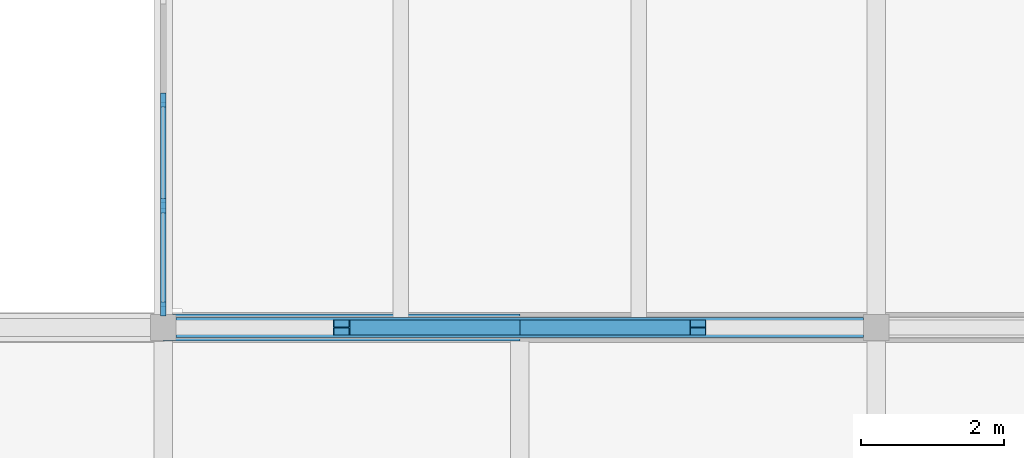
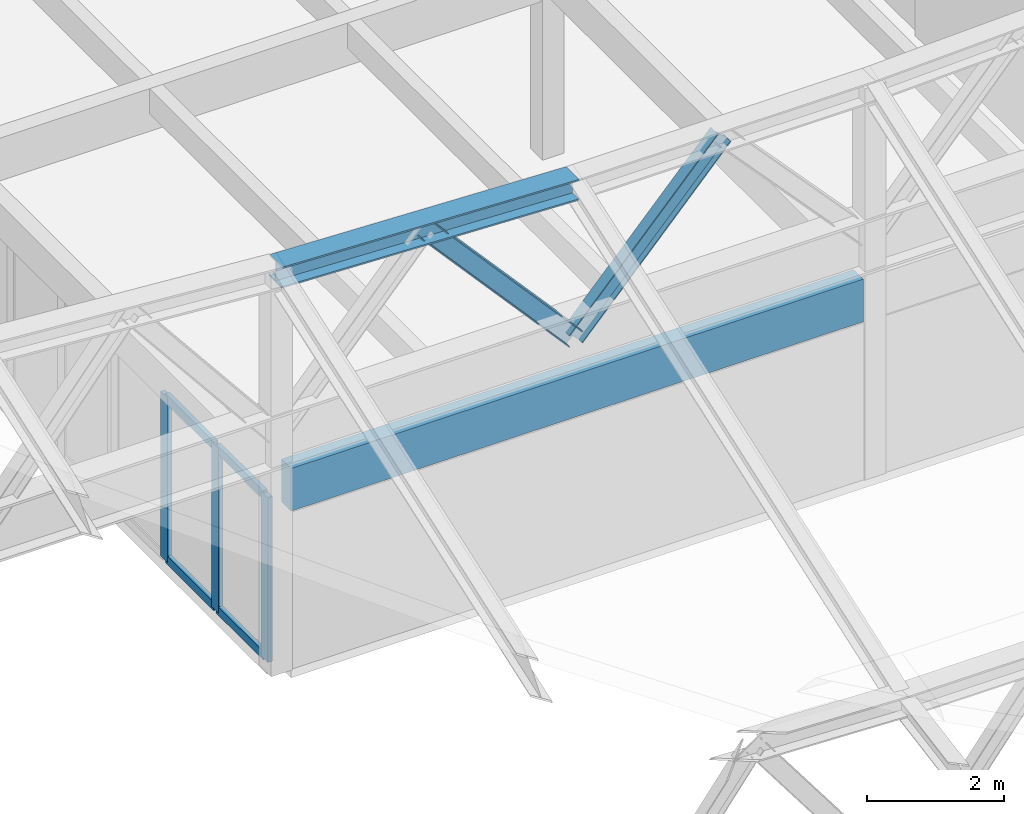
# One storey, part 12 of 40: 10 members, 1 beam, 2 elements without a shape of their own.
"""IFC4 building model written with IfcOpenShell, lengths in metres."""

from ifc_helpers import new_model, si_unit, direction, frame, origin, origin_2d, place, context, subcontext, project, spatial, rectangle, i_section, extrude, material, material_profile, profile_set, type_object, element, aggregate, save


model = new_model("IFC4")

# Units and contexts
model_context = context("Model", 3, precision=1e-05, world=origin(), true_north=direction((0.0, 1.0)))
body_context = subcontext(model_context, "Body", "Model", "MODEL_VIEW")
ifc_project = project(units=[si_unit("LENGTHUNIT", "METRE"), si_unit("AREAUNIT", "SQUARE_METRE"), si_unit("VOLUMEUNIT", "CUBIC_METRE"), si_unit("PLANEANGLEUNIT", "RADIAN"), si_unit("MASSUNIT", "GRAM", prefix="KILO")], contexts=[model_context])

# Site, building, storey
site_placement = place(None, origin())
site = spatial("IfcSite", under=ifc_project, at=site_placement, CompositionType="ELEMENT")
building_placement = place(site_placement, origin())
building = spatial("IfcBuilding", under=site, at=building_placement, Name="Veldera Park Congress Hotel", CompositionType="ELEMENT")
storey_placement = place(building_placement, frame((0.0, 0.0, 16.199951171875)))
storey = spatial("IfcBuildingStorey", under=building, at=storey_placement, Name="L03", CompositionType="ELEMENT", Elevation=16.199951171875)

# Beam
ifc_material_1 = material(Name="Glulam GL28h (NDS 24F-V4)", Category="wood")
ifc_material_profile_1 = material_profile(ifc_material_1, rectangle(XDim=0.280029296875, YDim=0.760009765625, at=origin_2d()), Name="GL28h 280x760")
ifc_profile_set_1 = profile_set([ifc_material_profile_1], Name="Glulam GL28h (NDS 24F-V4)")
beam_type = type_object("IfcBeamType", Name="BM-GL760", PredefinedType="BEAM", material=ifc_profile_set_1)
beam_placement = place(storey_placement, frame((-47.219970703125, 27.0, 3.179931640625), z_axis=(1.0, 0.0, 0.0), x_axis=(0.0, 1.0, 0.0)))
element("IfcBeam", 1, at=beam_placement, inside=storey, type_object=beam_type, Name="L03 Girder BM-GL760 1106", PredefinedType="BEAM", context=body_context, shape_type="SweptSolid", body=[
    extrude(rectangle(XDim=0.280029296875, YDim=0.760009765625, at=origin_2d()), origin(), (0.0, 0.0, 1.0), 9.639892578125),
])

# Curtain wall, members
ifc_material_2 = material(Name="Low-E Triple Insulating Glass Unit (SHGC 0.22)", Category="glass")
curtain_wall_type = type_object("IfcCurtainWallType", Name="CW-CON", PredefinedType="NOTDEFINED", material=ifc_material_2)
curtain_wall_placement = place(storey_placement, origin())
curtain_wall = element("IfcCurtainWall", 2, at=curtain_wall_placement, inside=storey, type_object=curtain_wall_type, Name="L03 Curtain Wall CW3-NWW-L03-084", PredefinedType="NOTDEFINED")
ifc_material_3 = material(Name="Anodised Aluminium Alloy 6063-T6", Category="aluminium")
ifc_material_profile_2 = material_profile(ifc_material_3, rectangle(XDim=0.074951171875, YDim=0.199951171875, at=origin_2d()), Name="ALU 75x200")
ifc_profile_set_2 = profile_set([ifc_material_profile_2], Name="Anodised Aluminium Alloy 6063-T6")
member_type_1 = type_object("IfcMemberType", Name="CWM-200", PredefinedType="MULLION", material=ifc_profile_set_2)
member_1_placement = place(storey_placement, frame((-47.39990234375, 30.191650390625, 0.0), z_axis=(0.0, 0.0, 1.0), x_axis=(1.0, 0.0, 0.0)))
member_1 = element("IfcMember", 3, at=member_1_placement, type_object=member_type_1, Name="CW-CON mullion 2", PredefinedType="MULLION", context=body_context, shape_type="SweptSolid", body=[
    extrude(rectangle(XDim=0.074951171875, YDim=0.199951171875, at=origin_2d()), origin(), (0.0, 0.0, 1.0), 2.93505859375),
])
member_2_placement = place(storey_placement, frame((-47.39990234375, 28.705810546875, 0.0), z_axis=(0.0, 0.0, 1.0), x_axis=(1.0, 0.0, 0.0)))
member_2 = element("IfcMember", 4, at=member_2_placement, type_object=member_type_1, Name="CW-CON mullion 3", PredefinedType="MULLION", context=body_context, shape_type="SweptSolid", body=[
    extrude(rectangle(XDim=0.074951171875, YDim=0.199951171875, at=origin_2d()), origin(), (0.0, 0.0, 1.0), 2.93505859375),
])
member_3_placement = place(storey_placement, frame((-47.39990234375, 27.257568359375, 0.0), z_axis=(0.0, 0.0, 1.0), x_axis=(1.0, 0.0, 0.0)))
member_3 = element("IfcMember", 5, at=member_3_placement, type_object=member_type_1, Name="CW-CON mullion 4", PredefinedType="MULLION", context=body_context, shape_type="SweptSolid", body=[
    extrude(rectangle(XDim=0.074951171875, YDim=0.199951171875, at=origin_2d()), origin(), (0.0, 0.0, 1.0), 2.93505859375),
])
ifc_material_profile_3 = material_profile(ifc_material_3, rectangle(XDim=0.074951171875, YDim=0.14990234375, at=origin_2d()), Name="ALU 75x150")
ifc_profile_set_3 = profile_set([ifc_material_profile_3], Name="Anodised Aluminium Alloy 6063-T6")
member_type_2 = type_object("IfcMemberType", Name="CWT-150", PredefinedType="USERDEFINED", material=ifc_profile_set_3)
member_4_placement = place(storey_placement, frame((-47.39990234375, 30.154052734375, 0.03759765625), z_axis=(0.0, -1.0, 0.0), x_axis=(1.0, 0.0, 0.0)))
member_4 = element("IfcMember", 6, at=member_4_placement, type_object=member_type_2, Name="CW-CON transom 2.1", ObjectType="TRANSOM", PredefinedType="USERDEFINED", context=body_context, shape_type="SweptSolid", body=[
    extrude(rectangle(XDim=0.074951171875, YDim=0.14990234375, at=origin_2d()), origin(), (0.0, 0.0, 1.0), 1.41064453125),
])
member_5_placement = place(storey_placement, frame((-47.39990234375, 30.154052734375, 2.8974609375), z_axis=(0.0, -1.0, 0.0), x_axis=(1.0, 0.0, 0.0)))
member_5 = element("IfcMember", 7, at=member_5_placement, type_object=member_type_2, Name="CW-CON transom 2.2", ObjectType="TRANSOM", PredefinedType="USERDEFINED", context=body_context, shape_type="SweptSolid", body=[
    extrude(rectangle(XDim=0.074951171875, YDim=0.14990234375, at=origin_2d()), origin(), (0.0, 0.0, 1.0), 1.41064453125),
])
member_6_placement = place(storey_placement, frame((-47.39990234375, 28.668212890625, 0.03759765625), z_axis=(0.0, -1.0, 0.0), x_axis=(1.0, 0.0, 0.0)))
member_6 = element("IfcMember", 8, at=member_6_placement, type_object=member_type_2, Name="CW-CON transom 3.1", ObjectType="TRANSOM", PredefinedType="USERDEFINED", context=body_context, shape_type="SweptSolid", body=[
    extrude(rectangle(XDim=0.074951171875, YDim=0.14990234375, at=origin_2d()), origin(), (0.0, 0.0, 1.0), 1.373291015625),
])
member_7_placement = place(storey_placement, frame((-47.39990234375, 28.668212890625, 2.8974609375), z_axis=(0.0, -1.0, 0.0), x_axis=(1.0, 0.0, 0.0)))
member_7 = element("IfcMember", 9, at=member_7_placement, type_object=member_type_2, Name="CW-CON transom 3.2", ObjectType="TRANSOM", PredefinedType="USERDEFINED", context=body_context, shape_type="SweptSolid", body=[
    extrude(rectangle(XDim=0.074951171875, YDim=0.14990234375, at=origin_2d()), origin(), (0.0, 0.0, 1.0), 1.373291015625),
])
aggregate(curtain_wall, [member_1, member_2, member_3, member_4, member_5, member_6, member_7])

# Roof, members
ifc_material_4 = material(Name="Cross-laminated timber CLT V2M1.1", Category="wood")
roof_type = type_object("IfcRoofType", Name="ROOF-PAV", PredefinedType="PAVILION_ROOF", material=ifc_material_4)
roof_placement = place(storey_placement, origin())
roof = element("IfcRoof", 10, at=roof_placement, inside=storey, type_object=roof_type, Name="Plenary Congress Pavilion Sweeping Space Frame Roof", PredefinedType="PAVILION_ROOF")
ifc_material_5 = material(Name="Steel ASTM A992 Gr.50", Category="steel")
ifc_material_profile_4 = material_profile(ifc_material_5, i_section(OverallWidth=0.3740234375, OverallDepth=0.3720703125, WebThickness=0.016357421875, FlangeThickness=0.026123046875, at=origin_2d()), Name="W14X132")
ifc_profile_set_4 = profile_set([ifc_material_profile_4], Name="Steel ASTM A992 Gr.50")
member_type_3 = type_object("IfcMemberType", Name="TR-CHD132", PredefinedType="CHORD", material=ifc_profile_set_4)
member_8_placement = place(storey_placement, frame((-47.39990234375, 27.0, 7.048828125), z_axis=(0.999315769236, 0.0, -0.036986394193), x_axis=(0.0, 1.0, 0.0)))
member_8 = element("IfcMember", 11, at=member_8_placement, type_object=member_type_3, Name="Plenary Roof Space Frame Top Chord 60", PredefinedType="CHORD", context=body_context, shape_type="SweptSolid", body=[
    extrude(i_section(OverallWidth=0.3740234375, OverallDepth=0.3720703125, WebThickness=0.016357421875, FlangeThickness=0.026123046875, at=origin_2d()), origin(), (0.0, 0.0, 1.0), 5.00341796875),
])
ifc_material_profile_5 = material_profile(ifc_material_5, i_section(OverallWidth=0.205078125, OverallDepth=0.31005859375, WebThickness=0.009521484375, FlangeThickness=0.016357421875, at=origin_2d()), Name="W12X50")
ifc_profile_set_5 = profile_set([ifc_material_profile_5], Name="Steel ASTM A992 Gr.50")
member_type_4 = type_object("IfcMemberType", Name="TR-WEB50", PredefinedType="MEMBER", material=ifc_profile_set_5)
member_9_placement = place(storey_placement, frame((-42.39990234375, 27.0, 4.150146484375), z_axis=(-0.665202091314, 0.0, 0.746663363043), x_axis=(0.0, -1.0, 0.0)))
member_9 = element("IfcMember", 12, at=member_9_placement, type_object=member_type_4, Name="Plenary Roof Space Frame Web B 60", PredefinedType="MEMBER", context=body_context, shape_type="SweptSolid", body=[
    extrude(i_section(OverallWidth=0.205078125, OverallDepth=0.31005859375, WebThickness=0.009521484375, FlangeThickness=0.016357421875, at=origin_2d()), origin(), (0.0, 0.0, 1.0), 3.75830078125),
])
member_10_placement = place(storey_placement, frame((-42.39990234375, 27.0, 4.150146484375), z_axis=(0.677301519425, 0.0, 0.73570554693), x_axis=(0.0, 1.0, 0.0)))
member_10 = element("IfcMember", 13, at=member_10_placement, type_object=member_type_4, Name="Plenary Roof Space Frame Web A 61", PredefinedType="MEMBER", context=body_context, shape_type="SweptSolid", body=[
    extrude(i_section(OverallWidth=0.205078125, OverallDepth=0.31005859375, WebThickness=0.009521484375, FlangeThickness=0.016357421875, at=origin_2d()), origin(), (0.0, 0.0, 1.0), 3.691162109375),
])
aggregate(roof, [member_9, member_8, member_10])

save(model, "model.ifc")
